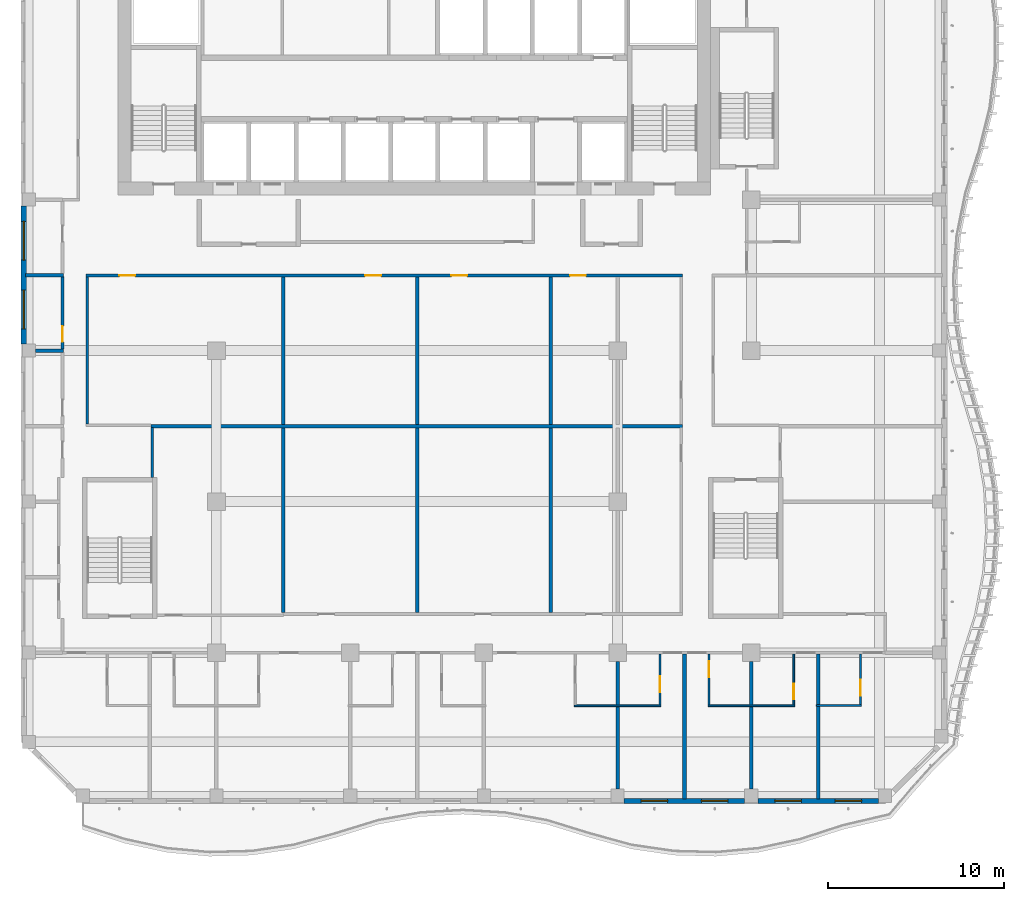
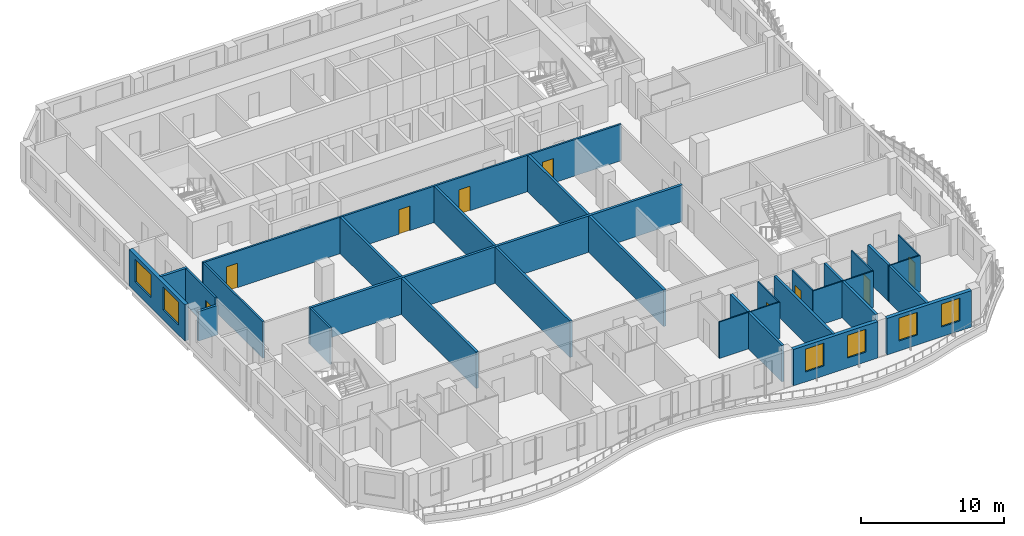
# One storey, part 4 of 22: 30 walls, 9 doors, 6 windows, 15 openings.
"""IFC4 building model written with IfcOpenShell, lengths in metres."""

from ifc_helpers import new_model, si_unit, direction, frame, frame_2d, origin, place, context, subcontext, project, spatial, rectangle, extrude, source, transform, mapped, material, layer, layer_set, type_object, element, fill, save


model = new_model("IFC4")

# Units and contexts
model_context = context("Model", 3, precision=1e-05, world=origin(), true_north=direction((0.0, 1.0)))
body_context = subcontext(model_context, "Body", "Model", "MODEL_VIEW")
ifc_project = project(units=[si_unit("LENGTHUNIT", "METRE"), si_unit("AREAUNIT", "SQUARE_METRE"), si_unit("VOLUMEUNIT", "CUBIC_METRE"), si_unit("PLANEANGLEUNIT", "RADIAN"), si_unit("MASSUNIT", "GRAM", prefix="KILO")], contexts=[model_context])

# Site, building, storey
site_placement = place(None, origin())
site = spatial("IfcSite", under=ifc_project, at=site_placement, CompositionType="ELEMENT")
building_placement = place(site_placement, origin())
building = spatial("IfcBuilding", under=site, at=building_placement, Name="Kilnfold Tower and Market Hall", CompositionType="ELEMENT")
storey_placement = place(building_placement, frame((0.0, 0.0, 213.5)))
storey = spatial("IfcBuildingStorey", under=building, at=storey_placement, Name="L52", CompositionType="ELEMENT", Elevation=213.5)

# Wall, opening, door
ifc_material_1 = material(Name="Gypsum board on steel studs", Category="steel")
ifc_layer_1 = layer(ifc_material_1, 0.14990234375)
ifc_layer_set_1 = layer_set([ifc_layer_1], Name="Gypsum board on steel studs")
wall_type_1 = type_object("IfcWallType", Name="WALL CORRIDOR 150", PredefinedType="PARTITIONING", material=ifc_layer_set_1)
wall_1_placement = place(storey_placement, frame((-18.89990234375, -0.471923828125, 0.0), z_axis=(0.0, 0.0, 1.0), x_axis=(0.0, 1.0, 0.0)))
wall_1 = element("IfcWall", 1, at=wall_1_placement, inside=storey, type_object=wall_type_1, Name="Partition LY31.15", PredefinedType="PARTITIONING", context=body_context, shape_type="SweptSolid", body=[
    extrude(rectangle(XDim=4.100830078125, YDim=0.14990234375, at=frame_2d((2.05029296875, 0.0))), origin(), (0.0, 0.0, 1.0), 3.1201171875),
])
opening_1_placement = place(wall_1_placement, frame((0.39990234375, 0.0, 0.0)))
opening_1 = element("IfcOpeningElement", 2, at=opening_1_placement, cuts=wall_1, Name="Opening D2", PredefinedType="OPENING", context=body_context, shape_type="SweptSolid", body=[
    extrude(rectangle(XDim=0.89990234375, YDim=2.10009765625, at=frame_2d((0.449951171875, 1.050048828125))), frame((0.0, 0.0849609375, 0.0), z_axis=(0.0, -1.0, 0.0), x_axis=(1.0, 0.0, 0.0)), (0.0, 0.0, 1.0), 0.169921875),
])
ifc_material_2 = material(Name="Timber veneer door leaf in steel frame", Category="steel")
door_type_1 = type_object("IfcDoorType", Name="DOOR ROOM 900 X2100", OperationType="NOTDEFINED", PredefinedType="DOOR", material=ifc_material_2)
door_1_placement = place(opening_1_placement, origin())
door_1 = element("IfcDoor", 3, at=door_1_placement, inside=storey, type_object=door_type_1, Name="Door D2", OperationType="SINGLE_SWING_LEFT", OverallHeight=2.10009765625, OverallWidth=0.89990234375, PredefinedType="DOOR", context=body_context, shape_type="SweptSolid", body=[
    extrude(rectangle(XDim=0.89990234375, YDim=2.10009765625, at=frame_2d((0.449951171875, 1.050048828125))), frame((0.0, 0.02490234375, 0.0), z_axis=(0.0, -1.0, 0.0), x_axis=(1.0, 0.0, 0.0)), (0.0, 0.0, 1.0), 0.050048828125),
])
fill(opening_1, door_1)

# Wall, openings, doors
wall_2_placement = place(storey_placement, frame((-17.574951171875, 3.699951171875, 0.0), z_axis=(0.0, 0.0, 1.0), x_axis=(1.0, 0.0, 0.0)))
wall_2 = element("IfcWall", 4, at=wall_2_placement, inside=storey, type_object=wall_type_1, Name="Partition LY31.35", PredefinedType="PARTITIONING", context=body_context, shape_type="SweptSolid", body=[
    extrude(rectangle(XDim=33.849853515625, YDim=0.14990234375, at=frame_2d((16.9248046875, 0.0))), origin(), (0.0, 0.0, 1.0), 3.1201171875),
])
opening_2_placement = place(wall_2_placement, frame((1.902099609375, 0.0, 0.0)))
opening_2 = element("IfcOpeningElement", 5, at=opening_2_placement, cuts=wall_2, Name="Opening D2", PredefinedType="OPENING", context=body_context, shape_type="SweptSolid", body=[
    extrude(rectangle(XDim=0.89990234375, YDim=2.10009765625, at=frame_2d((0.449951171875, 1.050048828125))), frame((0.0, 0.0849609375, 0.0), z_axis=(0.0, -1.0, 0.0), x_axis=(1.0, 0.0, 0.0)), (0.0, 0.0, 1.0), 0.169921875),
])
opening_3_placement = place(wall_2_placement, frame((15.841064453125, 0.0, 0.0)))
opening_3 = element("IfcOpeningElement", 6, at=opening_3_placement, cuts=wall_2, Name="Opening D2", PredefinedType="OPENING", context=body_context, shape_type="SweptSolid", body=[
    extrude(rectangle(XDim=0.89990234375, YDim=2.10009765625, at=frame_2d((0.449951171875, 1.050048828125))), frame((0.0, 0.0849609375, 0.0), z_axis=(0.0, -1.0, 0.0), x_axis=(1.0, 0.0, 0.0)), (0.0, 0.0, 1.0), 0.169921875),
])
opening_4_placement = place(wall_2_placement, frame((20.72412109375, 0.0, 0.0)))
opening_4 = element("IfcOpeningElement", 7, at=opening_4_placement, cuts=wall_2, Name="Opening D2", PredefinedType="OPENING", context=body_context, shape_type="SweptSolid", body=[
    extrude(rectangle(XDim=0.89990234375, YDim=2.10009765625, at=frame_2d((0.449951171875, 1.050048828125))), frame((0.0, 0.0849609375, 0.0), z_axis=(0.0, -1.0, 0.0), x_axis=(1.0, 0.0, 0.0)), (0.0, 0.0, 1.0), 0.169921875),
])
opening_5_placement = place(wall_2_placement, frame((27.4599609375, 0.0, 0.0)))
opening_5 = element("IfcOpeningElement", 8, at=opening_5_placement, cuts=wall_2, Name="Opening D2", PredefinedType="OPENING", context=body_context, shape_type="SweptSolid", body=[
    extrude(rectangle(XDim=0.89990234375, YDim=2.10009765625, at=frame_2d((0.449951171875, 1.050048828125))), frame((0.0, 0.0849609375, 0.0), z_axis=(0.0, -1.0, 0.0), x_axis=(1.0, 0.0, 0.0)), (0.0, 0.0, 1.0), 0.169921875),
])
door_2_placement = place(opening_2_placement, origin())
door_2 = element("IfcDoor", 9, at=door_2_placement, inside=storey, type_object=door_type_1, Name="Door D2", OperationType="SINGLE_SWING_RIGHT", OverallHeight=2.10009765625, OverallWidth=0.89990234375, PredefinedType="DOOR", context=body_context, shape_type="SweptSolid", body=[
    extrude(rectangle(XDim=0.89990234375, YDim=2.10009765625, at=frame_2d((0.449951171875, 1.050048828125))), frame((0.0, 0.02490234375, 0.0), z_axis=(0.0, -1.0, 0.0), x_axis=(1.0, 0.0, 0.0)), (0.0, 0.0, 1.0), 0.050048828125),
])
fill(opening_2, door_2)
door_3_placement = place(opening_3_placement, origin())
door_3 = element("IfcDoor", 10, at=door_3_placement, inside=storey, type_object=door_type_1, Name="Door D2", OperationType="SINGLE_SWING_LEFT", OverallHeight=2.10009765625, OverallWidth=0.89990234375, PredefinedType="DOOR", context=body_context, shape_type="SweptSolid", body=[
    extrude(rectangle(XDim=0.89990234375, YDim=2.10009765625, at=frame_2d((0.449951171875, 1.050048828125))), frame((0.0, 0.02490234375, 0.0), z_axis=(0.0, -1.0, 0.0), x_axis=(1.0, 0.0, 0.0)), (0.0, 0.0, 1.0), 0.050048828125),
])
fill(opening_3, door_3)
door_4_placement = place(opening_4_placement, origin())
door_4 = element("IfcDoor", 11, at=door_4_placement, inside=storey, type_object=door_type_1, Name="Door D2", OperationType="SINGLE_SWING_LEFT", OverallHeight=2.10009765625, OverallWidth=0.89990234375, PredefinedType="DOOR", context=body_context, shape_type="SweptSolid", body=[
    extrude(rectangle(XDim=0.89990234375, YDim=2.10009765625, at=frame_2d((0.449951171875, 1.050048828125))), frame((0.0, 0.02490234375, 0.0), z_axis=(0.0, -1.0, 0.0), x_axis=(1.0, 0.0, 0.0)), (0.0, 0.0, 1.0), 0.050048828125),
])
fill(opening_4, door_4)
door_5_placement = place(opening_5_placement, origin())
door_5 = element("IfcDoor", 12, at=door_5_placement, inside=storey, type_object=door_type_1, Name="Door D2", OperationType="SINGLE_SWING_RIGHT", OverallHeight=2.10009765625, OverallWidth=0.89990234375, PredefinedType="DOOR", context=body_context, shape_type="SweptSolid", body=[
    extrude(rectangle(XDim=0.89990234375, YDim=2.10009765625, at=frame_2d((0.449951171875, 1.050048828125))), frame((0.0, 0.02490234375, 0.0), z_axis=(0.0, -1.0, 0.0), x_axis=(1.0, 0.0, 0.0)), (0.0, 0.0, 1.0), 0.050048828125),
])
fill(opening_5, door_5)

# Walls
wall_3_placement = place(storey_placement, frame((-17.5, -4.72509765625, 0.0), z_axis=(0.0, 0.0, 1.0), x_axis=(0.0, 1.0, 0.0)))
element("IfcWall", 13, at=wall_3_placement, inside=storey, type_object=wall_type_1, Name="Partition LY31.36", PredefinedType="PARTITIONING", context=body_context, shape_type="SweptSolid", body=[
    extrude(rectangle(XDim=8.35009765625, YDim=0.14990234375, at=frame_2d((4.175048828125, 0.0))), origin(), (0.0, 0.0, 1.0), 3.1201171875),
])
wall_4_placement = place(storey_placement, frame((-13.800048828125, -7.75, 0.0), z_axis=(0.0, 0.0, 1.0), x_axis=(0.0, 1.0, 0.0)))
element("IfcWall", 14, at=wall_4_placement, inside=storey, type_object=wall_type_1, Name="Partition LY31.38", PredefinedType="PARTITIONING", context=body_context, shape_type="SweptSolid", body=[
    extrude(rectangle(XDim=2.81689453125, YDim=0.14990234375, at=frame_2d((1.408447265625, 0.0))), origin(), (0.0, 0.0, 1.0), 3.1201171875),
])
ifc_material_3 = material(Name="Gypsum board on steel studs", Category="steel")
ifc_layer_2 = layer(ifc_material_3, 0.10009765625)
ifc_layer_set_2 = layer_set([ifc_layer_2], Name="Gypsum board on steel studs")
wall_type_2 = type_object("IfcWallType", Name="WALL PARTITION 100", PredefinedType="PARTITIONING", material=ifc_layer_set_2)
wall_5_placement = place(storey_placement, frame((10.133056640625, -20.701904296875, 0.0), z_axis=(0.0, 0.0, 1.0), x_axis=(1.0, 0.0, 0.0)))
element("IfcWall", 15, at=wall_5_placement, inside=storey, type_object=wall_type_2, Name="Partition LY31.62", PredefinedType="PARTITIONING", context=body_context, shape_type="SweptSolid", body=[
    extrude(rectangle(XDim=4.89990234375, YDim=0.10009765625, at=frame_2d((2.449951171875, 0.0))), origin(), (0.0, 0.0, 1.0), 3.1201171875),
])

# Wall, opening, door
wall_6_placement = place(storey_placement, frame((14.98291015625, -17.777099609375, 0.0), z_axis=(0.0, 0.0, 1.0), x_axis=(0.0, -1.0, 0.0)))
wall_6 = element("IfcWall", 16, at=wall_6_placement, inside=storey, type_object=wall_type_2, Name="Partition LY31.65", PredefinedType="PARTITIONING", context=body_context, shape_type="SweptSolid", body=[
    extrude(rectangle(XDim=2.875, YDim=0.10009765625, at=frame_2d((1.4375, 0.0))), origin(), (0.0, 0.0, 1.0), 3.1201171875),
])
opening_6_placement = place(wall_6_placement, frame((1.25, 0.0, 0.0)))
opening_6 = element("IfcOpeningElement", 17, at=opening_6_placement, cuts=wall_6, Name="Opening D3", PredefinedType="OPENING", context=body_context, shape_type="SweptSolid", body=[
    extrude(rectangle(XDim=0.89990234375, YDim=2.10009765625, at=frame_2d((0.449951171875, 1.050048828125))), frame((0.0, 0.06005859375, 0.0), z_axis=(0.0, -1.0, 0.0), x_axis=(1.0, 0.0, 0.0)), (0.0, 0.0, 1.0), 0.1201171875),
])
ifc_material_4 = material(Name="Timber veneer door leaf in steel frame", Category="steel")
door_type_2 = type_object("IfcDoorType", Name="DOOR WC 900 X2100", OperationType="NOTDEFINED", PredefinedType="DOOR", material=ifc_material_4)
door_6_placement = place(opening_6_placement, origin())
door_6 = element("IfcDoor", 18, at=door_6_placement, inside=storey, type_object=door_type_2, Name="Door D3", OperationType="SINGLE_SWING_LEFT", OverallHeight=2.10009765625, OverallWidth=0.89990234375, PredefinedType="DOOR", context=body_context, shape_type="SweptSolid", body=[
    extrude(rectangle(XDim=0.89990234375, YDim=2.10009765625, at=frame_2d((0.449951171875, 1.050048828125))), frame((0.0, 0.02490234375, 0.0), z_axis=(0.0, -1.0, 0.0), x_axis=(1.0, 0.0, 0.0)), (0.0, 0.0, 1.0), 0.050048828125),
])
fill(opening_6, door_6)

wall_7_placement = place(storey_placement, frame((17.76708984375, -20.652099609375, 0.0), z_axis=(0.0, 0.0, 1.0), x_axis=(0.0, 1.0, 0.0)))
wall_7 = element("IfcWall", 19, at=wall_7_placement, inside=storey, type_object=wall_type_2, Name="Partition LY31.67", PredefinedType="PARTITIONING", context=body_context, shape_type="SweptSolid", body=[
    extrude(rectangle(XDim=2.875, YDim=0.10009765625, at=frame_2d((1.4375, 0.0))), origin(), (0.0, 0.0, 1.0), 3.1201171875),
])
opening_7_placement = place(wall_7_placement, frame((1.56494140625, 0.0, 0.0)))
opening_7 = element("IfcOpeningElement", 20, at=opening_7_placement, cuts=wall_7, Name="Opening D3", PredefinedType="OPENING", context=body_context, shape_type="SweptSolid", body=[
    extrude(rectangle(XDim=0.89990234375, YDim=2.10009765625, at=frame_2d((0.449951171875, 1.050048828125))), frame((0.0, 0.06005859375, 0.0), z_axis=(0.0, -1.0, 0.0), x_axis=(1.0, 0.0, 0.0)), (0.0, 0.0, 1.0), 0.1201171875),
])
door_7_placement = place(opening_7_placement, origin())
door_7 = element("IfcDoor", 21, at=door_7_placement, inside=storey, type_object=door_type_2, Name="Door D3", OperationType="SINGLE_SWING_RIGHT", OverallHeight=2.10009765625, OverallWidth=0.89990234375, PredefinedType="DOOR", context=body_context, shape_type="SweptSolid", body=[
    extrude(rectangle(XDim=0.89990234375, YDim=2.10009765625, at=frame_2d((0.449951171875, 1.050048828125))), frame((0.0, 0.02490234375, 0.0), z_axis=(0.0, -1.0, 0.0), x_axis=(1.0, 0.0, 0.0)), (0.0, 0.0, 1.0), 0.050048828125),
])
fill(opening_7, door_7)

# Wall
wall_8_placement = place(storey_placement, frame((17.717041015625, -20.701904296875, 0.0), z_axis=(0.0, 0.0, 1.0), x_axis=(1.0, 0.0, 0.0)))
element("IfcWall", 22, at=wall_8_placement, inside=storey, type_object=wall_type_2, Name="Partition LY31.68", PredefinedType="PARTITIONING", context=body_context, shape_type="SweptSolid", body=[
    extrude(rectangle(XDim=4.89990234375, YDim=0.10009765625, at=frame_2d((2.449951171875, 0.0))), origin(), (0.0, 0.0, 1.0), 3.1201171875),
])

# Wall, opening, door
wall_9_placement = place(storey_placement, frame((22.56689453125, -17.777099609375, 0.0), z_axis=(0.0, 0.0, 1.0), x_axis=(0.0, -1.0, 0.0)))
wall_9 = element("IfcWall", 23, at=wall_9_placement, inside=storey, type_object=wall_type_2, Name="Partition LY31.71", PredefinedType="PARTITIONING", context=body_context, shape_type="SweptSolid", body=[
    extrude(rectangle(XDim=2.875, YDim=0.10009765625, at=frame_2d((1.4375, 0.0))), origin(), (0.0, 0.0, 1.0), 3.1201171875),
])
opening_8_placement = place(wall_9_placement, frame((1.669921875, 0.0, 0.0)))
opening_8 = element("IfcOpeningElement", 24, at=opening_8_placement, cuts=wall_9, Name="Opening D3", PredefinedType="OPENING", context=body_context, shape_type="SweptSolid", body=[
    extrude(rectangle(XDim=0.89990234375, YDim=2.10009765625, at=frame_2d((0.449951171875, 1.050048828125))), frame((0.0, 0.06005859375, 0.0), z_axis=(0.0, -1.0, 0.0), x_axis=(1.0, 0.0, 0.0)), (0.0, 0.0, 1.0), 0.1201171875),
])
door_8_placement = place(opening_8_placement, origin())
door_8 = element("IfcDoor", 25, at=door_8_placement, inside=storey, type_object=door_type_2, Name="Door D3", OperationType="SINGLE_SWING_LEFT", OverallHeight=2.10009765625, OverallWidth=0.89990234375, PredefinedType="DOOR", context=body_context, shape_type="SweptSolid", body=[
    extrude(rectangle(XDim=0.89990234375, YDim=2.10009765625, at=frame_2d((0.449951171875, 1.050048828125))), frame((0.0, 0.02490234375, 0.0), z_axis=(0.0, -1.0, 0.0), x_axis=(1.0, 0.0, 0.0)), (0.0, 0.0, 1.0), 0.050048828125),
])
fill(opening_8, door_8)

# Wall
wall_10_placement = place(storey_placement, frame((23.85888671875, -20.68798828125, 0.0), z_axis=(0.0, 0.0, 1.0), x_axis=(1.0, 0.0, 0.0)))
element("IfcWall", 26, at=wall_10_placement, inside=storey, type_object=wall_type_2, Name="Partition LY31.74", PredefinedType="PARTITIONING", context=body_context, shape_type="SweptSolid", body=[
    extrude(rectangle(XDim=2.550048828125, YDim=0.10009765625, at=frame_2d((1.27490234375, 0.0))), origin(), (0.0, 0.0, 1.0), 3.1201171875),
])

# Wall, opening, door
wall_11_placement = place(storey_placement, frame((26.35888671875, -17.777099609375, 0.0), z_axis=(0.0, 0.0, 1.0), x_axis=(0.0, -1.0, 0.0)))
wall_11 = element("IfcWall", 27, at=wall_11_placement, inside=storey, type_object=wall_type_2, Name="Partition LY31.75", PredefinedType="PARTITIONING", context=body_context, shape_type="SweptSolid", body=[
    extrude(rectangle(XDim=2.86083984375, YDim=0.10009765625, at=frame_2d((1.430419921875, 0.0))), origin(), (0.0, 0.0, 1.0), 3.1201171875),
])
opening_9_placement = place(wall_11_placement, frame((1.448974609375, 0.0, 0.0)))
opening_9 = element("IfcOpeningElement", 28, at=opening_9_placement, cuts=wall_11, Name="Opening D3", PredefinedType="OPENING", context=body_context, shape_type="SweptSolid", body=[
    extrude(rectangle(XDim=0.89990234375, YDim=2.10009765625, at=frame_2d((0.449951171875, 1.050048828125))), frame((0.0, 0.06005859375, 0.0), z_axis=(0.0, -1.0, 0.0), x_axis=(1.0, 0.0, 0.0)), (0.0, 0.0, 1.0), 0.1201171875),
])
door_9_placement = place(opening_9_placement, origin())
door_9 = element("IfcDoor", 29, at=door_9_placement, inside=storey, type_object=door_type_2, Name="Door D3", OperationType="SINGLE_SWING_LEFT", OverallHeight=2.10009765625, OverallWidth=0.89990234375, PredefinedType="DOOR", context=body_context, shape_type="SweptSolid", body=[
    extrude(rectangle(XDim=0.89990234375, YDim=2.10009765625, at=frame_2d((0.449951171875, 1.050048828125))), frame((0.0, 0.02490234375, 0.0), z_axis=(0.0, -1.0, 0.0), x_axis=(1.0, 0.0, 0.0)), (0.0, 0.0, 1.0), 0.050048828125),
])
fill(opening_9, door_9)

# Walls
ifc_material_5 = material(Name="Gypsum board on steel studs", Category="steel")
ifc_layer_3 = layer(ifc_material_5, 0.199951171875)
ifc_layer_set_3 = layer_set([ifc_layer_3], Name="Gypsum board on steel studs")
wall_type_3 = type_object("IfcWallType", Name="WALL PARTY 200", PredefinedType="PARTITIONING", material=ifc_layer_set_3)
wall_12_placement = place(storey_placement, frame((12.5830078125, -25.425048828125, 0.0), z_axis=(0.0, 0.0, 1.0), x_axis=(0.0, 1.0, 0.0)))
element("IfcWall", 30, at=wall_12_placement, inside=storey, type_object=wall_type_3, Name="Partition LY31.63", PredefinedType="PARTITIONING", context=body_context, shape_type="SweptSolid", body=[
    extrude(rectangle(XDim=4.673095703125, YDim=0.199951171875, at=frame_2d((2.33642578125, 0.0))), origin(), (0.0, 0.0, 1.0), 3.1201171875),
])
wall_13_placement = place(storey_placement, frame((12.5830078125, -20.652099609375, 0.0), z_axis=(0.0, 0.0, 1.0), x_axis=(0.0, 1.0, 0.0)))
element("IfcWall", 31, at=wall_13_placement, inside=storey, type_object=wall_type_3, Name="Partition LY31.64", PredefinedType="PARTITIONING", context=body_context, shape_type="SweptSolid", body=[
    extrude(rectangle(XDim=2.464111328125, YDim=0.199951171875, at=frame_2d((1.23193359375, 0.0))), origin(), (0.0, 0.0, 1.0), 3.1201171875),
])
wall_14_placement = place(storey_placement, frame((16.375, -26.0, 0.0), z_axis=(0.0, 0.0, 1.0), x_axis=(0.0, 1.0, 0.0)))
element("IfcWall", 32, at=wall_14_placement, inside=storey, type_object=wall_type_3, Name="Partition LY31.66", PredefinedType="PARTITIONING", context=body_context, shape_type="SweptSolid", body=[
    extrude(rectangle(XDim=8.222900390625, YDim=0.199951171875, at=frame_2d((4.111328125, 0.0))), origin(), (0.0, 0.0, 1.0), 3.1201171875),
])
wall_15_placement = place(storey_placement, frame((20.1669921875, -25.425048828125, 0.0), z_axis=(0.0, 0.0, 1.0), x_axis=(0.0, 1.0, 0.0)))
element("IfcWall", 33, at=wall_15_placement, inside=storey, type_object=wall_type_3, Name="Partition LY31.69", PredefinedType="PARTITIONING", context=body_context, shape_type="SweptSolid", body=[
    extrude(rectangle(XDim=4.673095703125, YDim=0.199951171875, at=frame_2d((2.33642578125, 0.0))), origin(), (0.0, 0.0, 1.0), 3.1201171875),
])
wall_16_placement = place(storey_placement, frame((20.1669921875, -20.652099609375, 0.0), z_axis=(0.0, 0.0, 1.0), x_axis=(0.0, 1.0, 0.0)))
element("IfcWall", 34, at=wall_16_placement, inside=storey, type_object=wall_type_3, Name="Partition LY31.70", PredefinedType="PARTITIONING", context=body_context, shape_type="SweptSolid", body=[
    extrude(rectangle(XDim=2.464111328125, YDim=0.199951171875, at=frame_2d((1.23193359375, 0.0))), origin(), (0.0, 0.0, 1.0), 3.1201171875),
])
wall_17_placement = place(storey_placement, frame((23.958984375, -26.0, 0.0), z_axis=(0.0, 0.0, 1.0), x_axis=(0.0, 1.0, 0.0)))
element("IfcWall", 35, at=wall_17_placement, inside=storey, type_object=wall_type_3, Name="Partition LY31.72", PredefinedType="PARTITIONING", context=body_context, shape_type="SweptSolid", body=[
    extrude(rectangle(XDim=5.27197265625, YDim=0.199951171875, at=frame_2d((2.635986328125, 0.0))), origin(), (0.0, 0.0, 1.0), 3.1201171875),
])
wall_18_placement = place(storey_placement, frame((23.958984375, -20.64794921875, 0.0), z_axis=(0.0, 0.0, 1.0), x_axis=(0.0, 1.0, 0.0)))
element("IfcWall", 36, at=wall_18_placement, inside=storey, type_object=wall_type_3, Name="Partition LY31.73", PredefinedType="PARTITIONING", context=body_context, shape_type="SweptSolid", body=[
    extrude(rectangle(XDim=2.870849609375, YDim=0.199951171875, at=frame_2d((1.435546875, 0.0))), origin(), (0.0, 0.0, 1.0), 3.1201171875),
])
wall_19_placement = place(storey_placement, frame((-18.826904296875, -0.56201171875, 0.0), z_axis=(0.0, 0.0, 1.0), x_axis=(-1.0, 0.0, 0.0)))
element("IfcWall", 37, at=wall_19_placement, inside=storey, type_object=wall_type_3, Name="Partition LY31.82", PredefinedType="PARTITIONING", context=body_context, shape_type="SweptSolid", body=[
    extrude(rectangle(XDim=1.59814453125, YDim=0.199951171875, at=frame_2d((0.799072265625, 0.0))), origin(), (0.0, 0.0, 1.0), 2.52001953125),
])
wall_20_placement = place(storey_placement, frame((-21.0, 3.718994140625, 0.0), z_axis=(0.0, 0.0, 1.0), x_axis=(1.0, 0.0, 0.0)))
element("IfcWall", 38, at=wall_20_placement, inside=storey, type_object=wall_type_3, Name="Partition LY31.83", PredefinedType="PARTITIONING", context=body_context, shape_type="SweptSolid", body=[
    extrude(rectangle(XDim=2.173095703125, YDim=0.199951171875, at=frame_2d((1.08642578125, 0.0))), origin(), (0.0, 0.0, 1.0), 3.1201171875),
])
wall_21_placement = place(storey_placement, frame((-6.375, -4.742919921875, 0.0), z_axis=(0.0, 0.0, 1.0), x_axis=(0.0, 1.0, 0.0)))
element("IfcWall", 39, at=wall_21_placement, inside=storey, type_object=wall_type_3, Name="Partition LY31.95", PredefinedType="PARTITIONING", context=body_context, shape_type="SweptSolid", body=[
    extrude(rectangle(XDim=8.365966796875, YDim=0.199951171875, at=frame_2d((4.18310546875, 0.0))), origin(), (0.0, 0.0, 1.0), 3.1201171875),
])
wall_22_placement = place(storey_placement, frame((-13.873046875, -4.843017578125, 0.0), z_axis=(0.0, 0.0, 1.0), x_axis=(1.0, 0.0, 0.0)))
element("IfcWall", 40, at=wall_22_placement, inside=storey, type_object=wall_type_3, Name="Partition LY31.96", PredefinedType="PARTITIONING", context=body_context, shape_type="SweptSolid", body=[
    extrude(rectangle(XDim=30.14599609375, YDim=0.199951171875, at=frame_2d((15.072998046875, 0.0))), origin(), (0.0, 0.0, 1.0), 3.1201171875),
])
for number, where, z_axis, x_axis, name in (
    (41, (1.2080078125, -4.742919921875, 0.0), (0.0, 0.0, 1.0), (0.0, 1.0, 0.0), "Partition LY31.97"),
    (42, (8.791015625, -4.742919921875, 0.0), (0.0, 0.0, 1.0), (0.0, 1.0, 0.0), "Partition LY31.98"),
):
    element("IfcWall", number, at=place(storey_placement, frame(where, z_axis=z_axis, x_axis=x_axis)), inside=storey, type_object=wall_type_3, Name=name, PredefinedType="PARTITIONING", context=body_context, shape_type="SweptSolid", body=[
        extrude(rectangle(XDim=8.365966796875, YDim=0.199951171875, at=frame_2d((4.18310546875, 0.0))), origin(), (0.0, 0.0, 1.0), 3.1201171875),
    ])
for number, where, z_axis, x_axis, name in (
    (43, (-6.375, -15.423095703125, 0.0), (0.0, 0.0, 1.0), (0.0, 1.0, 0.0), "Partition LY31.101"),
    (44, (1.2080078125, -15.423095703125, 0.0), (0.0, 0.0, 1.0), (0.0, 1.0, 0.0), "Partition LY31.102"),
    (45, (8.791015625, -15.423095703125, 0.0), (0.0, 0.0, 1.0), (0.0, 1.0, 0.0), "Partition LY31.103"),
):
    element("IfcWall", number, at=place(storey_placement, frame(where, z_axis=z_axis, x_axis=x_axis)), inside=storey, type_object=wall_type_3, Name=name, PredefinedType="PARTITIONING", context=body_context, shape_type="SweptSolid", body=[
        extrude(rectangle(XDim=10.47998046875, YDim=0.199951171875, at=frame_2d((5.239990234375, 0.0))), origin(), (0.0, 0.0, 1.0), 3.1201171875),
    ])

# Wall, openings, windows
ifc_material_6 = material(Name="Precast concrete C50/60", Category="concrete")
ifc_layer_4 = layer(ifc_material_6, 0.300048828125)
ifc_layer_set_4 = layer_set([ifc_layer_4], Name="Precast concrete C50/60")
wall_type_4 = type_object("IfcWallType", Name="PRECAST WALL 300", PredefinedType="SOLIDWALL", material=ifc_layer_set_4)
shared_shape_1 = source(origin(), body_context, "Body", "SweptSolid", [
    extrude(rectangle(XDim=6.833251953125, YDim=0.300048828125, at=frame_2d((3.41650390625, 0.0))), origin(), (0.0, 0.0, 1.0), 3.1201171875),
])
wall_23_placement = place(storey_placement, frame((20.541748046875, -26.10009765625, 0.0), z_axis=(0.0, 0.0, 1.0), x_axis=(1.0, 0.0, 0.0)))
wall_23 = element("IfcWall", 46, at=wall_23_placement, inside=storey, type_object=wall_type_4, Name="External wall L52 S", PredefinedType="SOLIDWALL", context=body_context, shape_type="MappedRepresentation", body=[
    mapped(shared_shape_1, transform((0.0, 0.0, 0.0))),
])
opening_10_placement = place(wall_23_placement, frame((0.958251953125, 0.0, 0.85009765625)))
opening_10 = element("IfcOpeningElement", 47, at=opening_10_placement, cuts=wall_23, Name="Opening W4", PredefinedType="OPENING", context=body_context, shape_type="SweptSolid", body=[
    extrude(rectangle(XDim=1.5, YDim=1.949951171875, at=frame_2d((0.75, 0.97509765625))), frame((0.0, 0.16015625, 0.0), z_axis=(0.0, -1.0, 0.0), x_axis=(1.0, 0.0, 0.0)), (0.0, 0.0, 1.0), 0.320068359375),
])
opening_11_placement = place(wall_23_placement, frame((4.375, 0.0, 0.85009765625)))
opening_11 = element("IfcOpeningElement", 48, at=opening_11_placement, cuts=wall_23, Name="Opening W4", PredefinedType="OPENING", context=body_context, shape_type="SweptSolid", body=[
    extrude(rectangle(XDim=1.5, YDim=1.949951171875, at=frame_2d((0.75, 0.97509765625))), frame((0.0, 0.16015625, 0.0), z_axis=(0.0, -1.0, 0.0), x_axis=(1.0, 0.0, 0.0)), (0.0, 0.0, 1.0), 0.320068359375),
])
ifc_material_7 = material(Name="Aluminium frame and double glazing", Category="aluminium")
window_type_1 = type_object("IfcWindowType", Name="WINDOW W4 1500X1950", PartitioningType="SINGLE_PANEL", PredefinedType="WINDOW", material=ifc_material_7)
window_1_placement = place(opening_10_placement, origin())
window_1 = element("IfcWindow", 49, at=window_1_placement, inside=storey, type_object=window_type_1, Name="Window W4 L52 S-1", OverallHeight=1.949951171875, OverallWidth=1.5, PartitioningType="SINGLE_PANEL", PredefinedType="WINDOW", context=body_context, shape_type="SweptSolid", body=[
    extrude(rectangle(XDim=1.5, YDim=1.949951171875, at=frame_2d((0.75, 0.97509765625))), frame((0.0, 0.030029296875, 0.0), z_axis=(0.0, -1.0, 0.0), x_axis=(1.0, 0.0, 0.0)), (0.0, 0.0, 1.0), 0.06005859375),
])
fill(opening_10, window_1)
window_2_placement = place(opening_11_placement, origin())
window_2 = element("IfcWindow", 50, at=window_2_placement, inside=storey, type_object=window_type_1, Name="Window W4 L52 S-2", OverallHeight=1.949951171875, OverallWidth=1.5, PartitioningType="SINGLE_PANEL", PredefinedType="WINDOW", context=body_context, shape_type="SweptSolid", body=[
    extrude(rectangle(XDim=1.5, YDim=1.949951171875, at=frame_2d((0.75, 0.97509765625))), frame((0.0, 0.030029296875, 0.0), z_axis=(0.0, -1.0, 0.0), x_axis=(1.0, 0.0, 0.0)), (0.0, 0.0, 1.0), 0.06005859375),
])
fill(opening_11, window_2)

shared_shape_2 = source(origin(), body_context, "Body", "SweptSolid", [
    extrude(rectangle(XDim=6.83349609375, YDim=0.300048828125, at=frame_2d((3.416748046875, 0.0))), origin(), (0.0, 0.0, 1.0), 3.1201171875),
])
wall_24_placement = place(storey_placement, frame((12.958251953125, -26.10009765625, 0.0), z_axis=(0.0, 0.0, 1.0), x_axis=(1.0, 0.0, 0.0)))
wall_24 = element("IfcWall", 51, at=wall_24_placement, inside=storey, type_object=wall_type_4, Name="External wall L52 S", PredefinedType="SOLIDWALL", context=body_context, shape_type="MappedRepresentation", body=[
    mapped(shared_shape_2, transform((0.0, 0.0, 0.0))),
])
opening_12_placement = place(wall_24_placement, frame((0.958251953125, 0.0, 0.85009765625)))
opening_12 = element("IfcOpeningElement", 52, at=opening_12_placement, cuts=wall_24, Name="Opening W4", PredefinedType="OPENING", context=body_context, shape_type="SweptSolid", body=[
    extrude(rectangle(XDim=1.5, YDim=1.949951171875, at=frame_2d((0.75, 0.97509765625))), frame((0.0, 0.16015625, 0.0), z_axis=(0.0, -1.0, 0.0), x_axis=(1.0, 0.0, 0.0)), (0.0, 0.0, 1.0), 0.320068359375),
])
opening_13_placement = place(wall_24_placement, frame((4.375, 0.0, 0.85009765625)))
opening_13 = element("IfcOpeningElement", 53, at=opening_13_placement, cuts=wall_24, Name="Opening W4", PredefinedType="OPENING", context=body_context, shape_type="SweptSolid", body=[
    extrude(rectangle(XDim=1.5, YDim=1.949951171875, at=frame_2d((0.75, 0.97509765625))), frame((0.0, 0.16015625, 0.0), z_axis=(0.0, -1.0, 0.0), x_axis=(1.0, 0.0, 0.0)), (0.0, 0.0, 1.0), 0.320068359375),
])
window_3_placement = place(opening_12_placement, origin())
window_3 = element("IfcWindow", 54, at=window_3_placement, inside=storey, type_object=window_type_1, Name="Window W4 L52 S-1", OverallHeight=1.949951171875, OverallWidth=1.5, PartitioningType="SINGLE_PANEL", PredefinedType="WINDOW", context=body_context, shape_type="SweptSolid", body=[
    extrude(rectangle(XDim=1.5, YDim=1.949951171875, at=frame_2d((0.75, 0.97509765625))), frame((0.0, 0.030029296875, 0.0), z_axis=(0.0, -1.0, 0.0), x_axis=(1.0, 0.0, 0.0)), (0.0, 0.0, 1.0), 0.06005859375),
])
fill(opening_12, window_3)
window_4_placement = place(opening_13_placement, origin())
window_4 = element("IfcWindow", 55, at=window_4_placement, inside=storey, type_object=window_type_1, Name="Window W4 L52 S-2", OverallHeight=1.949951171875, OverallWidth=1.5, PartitioningType="SINGLE_PANEL", PredefinedType="WINDOW", context=body_context, shape_type="SweptSolid", body=[
    extrude(rectangle(XDim=1.5, YDim=1.949951171875, at=frame_2d((0.75, 0.97509765625))), frame((0.0, 0.030029296875, 0.0), z_axis=(0.0, -1.0, 0.0), x_axis=(1.0, 0.0, 0.0)), (0.0, 0.0, 1.0), 0.06005859375),
])
fill(opening_13, window_4)

shared_shape_3 = source(origin(), body_context, "Body", "SweptSolid", [
    extrude(rectangle(XDim=7.8125, YDim=0.300048828125, at=frame_2d((3.90625, 0.0))), origin(), (0.0, 0.0, 1.0), 3.1201171875),
])
wall_25_placement = place(storey_placement, frame((-21.10009765625, 7.625, 0.0), z_axis=(0.0, 0.0, 1.0), x_axis=(0.0, -1.0, 0.0)))
wall_25 = element("IfcWall", 56, at=wall_25_placement, inside=storey, type_object=wall_type_4, Name="External wall L52 W", PredefinedType="SOLIDWALL", context=body_context, shape_type="MappedRepresentation", body=[
    mapped(shared_shape_3, transform((0.0, 0.0, 0.0))),
])
opening_14_placement = place(wall_25_placement, frame((0.85302734375, 0.0, 0.85009765625)))
opening_14 = element("IfcOpeningElement", 57, at=opening_14_placement, cuts=wall_25, Name="Opening W2", PredefinedType="OPENING", context=body_context, shape_type="SweptSolid", body=[
    extrude(rectangle(XDim=2.199951171875, YDim=1.949951171875, at=frame_2d((1.10009765625, 0.97509765625))), frame((0.0, 0.16015625, 0.0), z_axis=(0.0, -1.0, 0.0), x_axis=(1.0, 0.0, 0.0)), (0.0, 0.0, 1.0), 0.320068359375),
])
opening_15_placement = place(wall_25_placement, frame((4.75927734375, 0.0, 0.85009765625)))
opening_15 = element("IfcOpeningElement", 58, at=opening_15_placement, cuts=wall_25, Name="Opening W2", PredefinedType="OPENING", context=body_context, shape_type="SweptSolid", body=[
    extrude(rectangle(XDim=2.199951171875, YDim=1.949951171875, at=frame_2d((1.10009765625, 0.97509765625))), frame((0.0, 0.16015625, 0.0), z_axis=(0.0, -1.0, 0.0), x_axis=(1.0, 0.0, 0.0)), (0.0, 0.0, 1.0), 0.320068359375),
])
ifc_material_8 = material(Name="Aluminium frame and double glazing", Category="aluminium")
window_type_2 = type_object("IfcWindowType", Name="WINDOW W2 2200X1950", PartitioningType="SINGLE_PANEL", PredefinedType="WINDOW", material=ifc_material_8)
window_5_placement = place(opening_14_placement, origin())
window_5 = element("IfcWindow", 59, at=window_5_placement, inside=storey, type_object=window_type_2, Name="Window W2 L52 W-1", OverallHeight=1.949951171875, OverallWidth=2.199951171875, PartitioningType="SINGLE_PANEL", PredefinedType="WINDOW", context=body_context, shape_type="SweptSolid", body=[
    extrude(rectangle(XDim=2.199951171875, YDim=1.949951171875, at=frame_2d((1.10009765625, 0.97509765625))), frame((0.0, 0.030029296875, 0.0), z_axis=(0.0, -1.0, 0.0), x_axis=(1.0, 0.0, 0.0)), (0.0, 0.0, 1.0), 0.06005859375),
])
fill(opening_14, window_5)
window_6_placement = place(opening_15_placement, origin())
window_6 = element("IfcWindow", 60, at=window_6_placement, inside=storey, type_object=window_type_2, Name="Window W2 L52 W-2", OverallHeight=1.949951171875, OverallWidth=2.199951171875, PartitioningType="SINGLE_PANEL", PredefinedType="WINDOW", context=body_context, shape_type="SweptSolid", body=[
    extrude(rectangle(XDim=2.199951171875, YDim=1.949951171875, at=frame_2d((1.10009765625, 0.97509765625))), frame((0.0, 0.030029296875, 0.0), z_axis=(0.0, -1.0, 0.0), x_axis=(1.0, 0.0, 0.0)), (0.0, 0.0, 1.0), 0.06005859375),
])
fill(opening_15, window_6)

save(model, "model.ifc")
